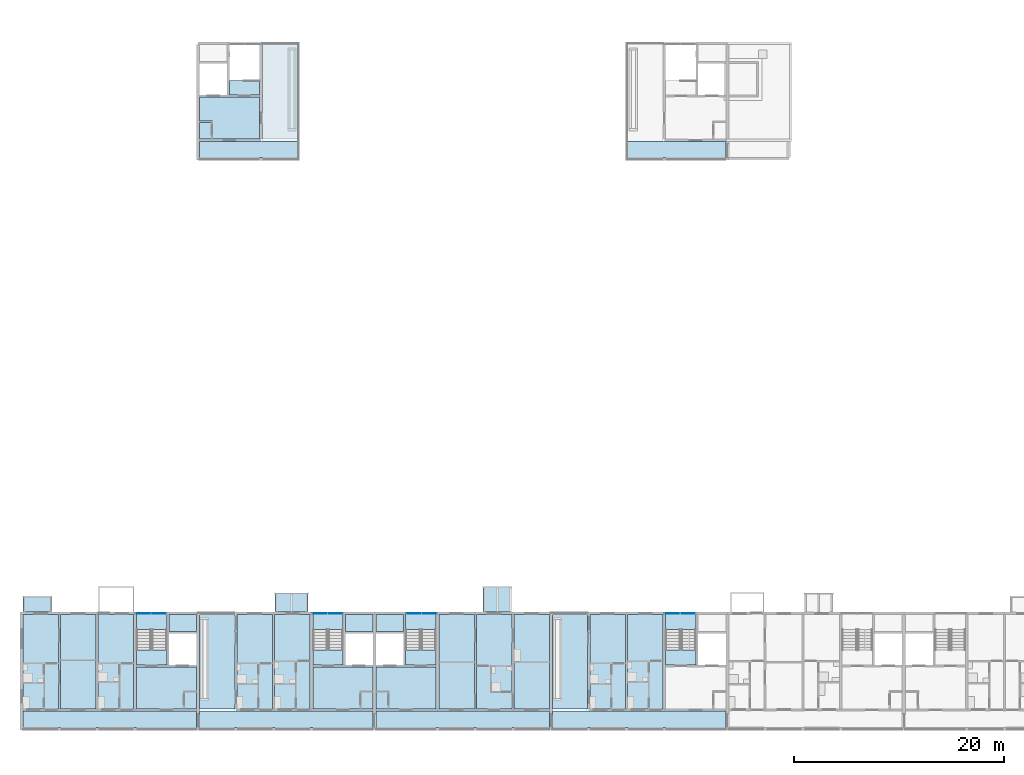
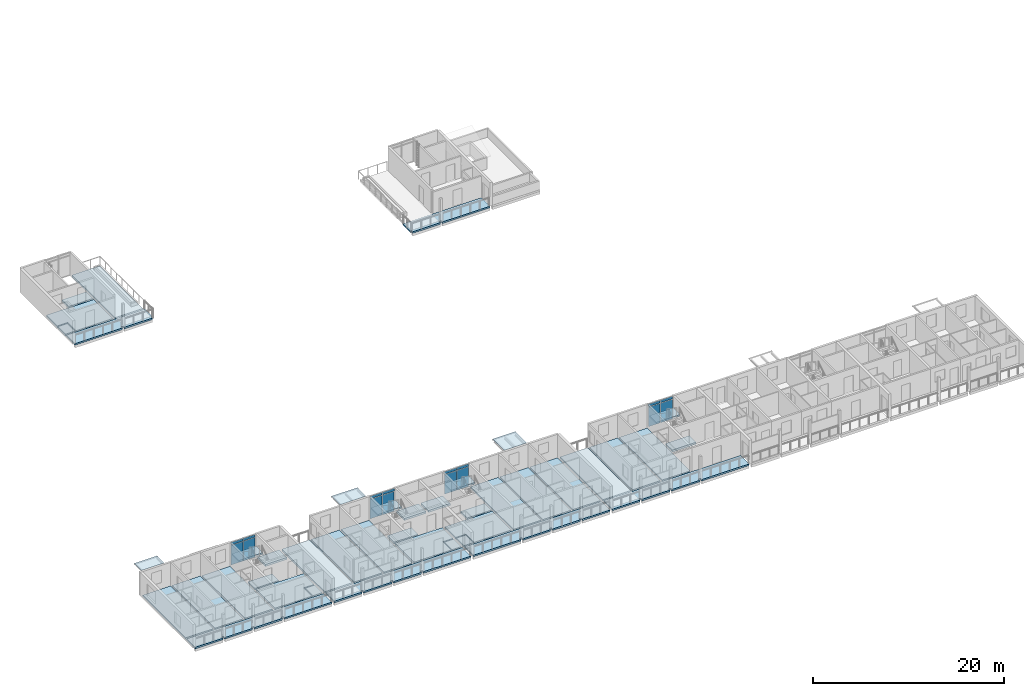
# One storey, part 26 of 78: 42 slabs, 16 plates, 8 elements without a shape of their own.
"""IFC4 building model written with IfcOpenShell, lengths in metres."""

from ifc_helpers import new_model, si_unit, direction, frame, origin, origin_2d, place, context, subcontext, project, spatial, polyline, rectangle, outline, extrude, material, layer, layer_set, type_object, element, aggregate, save


model = new_model("IFC4")

# Units and contexts
model_context = context("Model", 3, precision=1e-05, world=origin(), true_north=direction((0.0, 1.0)))
body_context = subcontext(model_context, "Body", "Model", "MODEL_VIEW")
ifc_project = project(units=[si_unit("LENGTHUNIT", "METRE"), si_unit("AREAUNIT", "SQUARE_METRE"), si_unit("VOLUMEUNIT", "CUBIC_METRE"), si_unit("PLANEANGLEUNIT", "RADIAN"), si_unit("MASSUNIT", "GRAM", prefix="KILO")], contexts=[model_context])

# Site, building, storey
site_placement = place(None, origin())
site = spatial("IfcSite", under=ifc_project, at=site_placement, CompositionType="ELEMENT")
building_placement = place(site_placement, origin())
building = spatial("IfcBuilding", under=site, at=building_placement, Name="Ridgestep Commons", CompositionType="ELEMENT")
storey_placement = place(building_placement, frame((0.0, 0.0, 30.0)))
storey = spatial("IfcBuildingStorey", under=building, at=storey_placement, Name="L10", CompositionType="ELEMENT", Elevation=30.0)

# Slabs
ifc_material_1 = material(Name="Precast concrete C40/50", Category="concrete")
ifc_layer_1 = layer(ifc_material_1, 0.199951171875)
ifc_layer_set_1 = layer_set([ifc_layer_1], Name="Gallery slab 200")
slab_type_1 = type_object("IfcSlabType", Name="Gallery slab 200", PredefinedType="FLOOR", material=ifc_layer_set_1)
slab_1_placement = place(storey_placement, frame((0.0, 0.0, -0.199951171875)))
element("IfcSlab", 1, at=slab_1_placement, inside=storey, type_object=slab_type_1, Name="Gallery slab A1 L10", PredefinedType="FLOOR", context=body_context, shape_type="SweptSolid", body=[
    extrude(outline(polyline([(28.64990234375, 13.550048828125), (12.14990234375, 13.550048828125), (12.14990234375, 11.75), (15.47509765625, 11.75), (15.47509765625, 12.0), (15.72509765625, 12.0), (15.72509765625, 11.75), (19.074951171875, 11.75), (19.074951171875, 12.0), (19.324951171875, 12.0), (19.324951171875, 11.75), (22.675048828125, 11.75), (22.675048828125, 12.0), (22.925048828125, 12.0), (22.925048828125, 11.75), (28.64990234375, 11.75), (28.64990234375, 13.550048828125)])), origin(), (0.0, 0.0, 1.0), 0.199951171875),
])
slab_2_placement = place(storey_placement, frame((0.0, 0.0, -0.199951171875)))
element("IfcSlab", 2, at=slab_2_placement, inside=storey, type_object=slab_type_1, Name="Gallery slab A2 L10", PredefinedType="FLOOR", context=body_context, shape_type="SweptSolid", body=[
    extrude(outline(polyline([(45.449951171875, 13.550048828125), (28.949951171875, 13.550048828125), (28.949951171875, 11.75), (32.27490234375, 11.75), (32.27490234375, 12.0), (32.52490234375, 12.0), (32.52490234375, 11.75), (35.875, 11.75), (35.875, 12.0), (36.125, 12.0), (36.125, 11.75), (39.47509765625, 11.75), (39.47509765625, 12.0), (39.72509765625, 12.0), (39.72509765625, 11.75), (45.449951171875, 11.75), (45.449951171875, 13.550048828125)])), origin(), (0.0, 0.0, 1.0), 0.199951171875),
])
slab_3_placement = place(storey_placement, frame((0.0, 0.0, -0.199951171875)))
element("IfcSlab", 3, at=slab_3_placement, inside=storey, type_object=slab_type_1, Name="Gallery slab A3 L10", PredefinedType="FLOOR", context=body_context, shape_type="SweptSolid", body=[
    extrude(outline(polyline([(62.25, 13.550048828125), (45.75, 13.550048828125), (45.75, 11.75), (51.47509765625, 11.75), (51.47509765625, 12.0), (51.72509765625, 12.0), (51.72509765625, 11.75), (55.074951171875, 11.75), (55.074951171875, 12.0), (55.324951171875, 12.0), (55.324951171875, 11.75), (58.675048828125, 11.75), (58.675048828125, 12.0), (58.925048828125, 12.0), (58.925048828125, 11.75), (62.25, 11.75), (62.25, 13.550048828125)])), origin(), (0.0, 0.0, 1.0), 0.199951171875),
])
slab_4_placement = place(storey_placement, frame((0.0, 0.0, -0.199951171875)))
element("IfcSlab", 4, at=slab_4_placement, inside=storey, type_object=slab_type_1, Name="Gallery slab A4 L10", PredefinedType="FLOOR", context=body_context, shape_type="SweptSolid", body=[
    extrude(outline(polyline([(79.050048828125, 13.550048828125), (62.550048828125, 13.550048828125), (62.550048828125, 11.75), (65.875, 11.75), (65.875, 12.0), (66.125, 12.0), (66.125, 11.75), (69.47509765625, 11.75), (69.47509765625, 12.0), (69.72509765625, 12.0), (69.72509765625, 11.75), (73.074951171875, 11.75), (73.074951171875, 12.0), (73.324951171875, 12.0), (73.324951171875, 11.75), (79.050048828125, 11.75), (79.050048828125, 13.550048828125)])), origin(), (0.0, 0.0, 1.0), 0.199951171875),
])
slab_5_placement = place(storey_placement, frame((0.0, 0.0, -0.199951171875)))
element("IfcSlab", 5, at=slab_5_placement, inside=storey, type_object=slab_type_1, Name="Gallery slab B2 L10", PredefinedType="FLOOR", context=body_context, shape_type="SweptSolid", body=[
    extrude(outline(polyline([(28.949951171875, 67.800048828125), (28.949951171875, 66.0), (34.675048828125, 66.0), (34.675048828125, 66.25), (34.925048828125, 66.25), (34.925048828125, 66.0), (38.27490234375, 66.0), (38.27490234375, 66.25), (38.39990234375, 66.25), (38.39990234375, 67.800048828125), (28.949951171875, 67.800048828125)])), origin(), (0.0, 0.0, 1.0), 0.199951171875),
])
slab_6_placement = place(storey_placement, frame((0.0, 0.0, -0.199951171875)))
element("IfcSlab", 6, at=slab_6_placement, inside=storey, type_object=slab_type_1, Name="Gallery slab B4 L10", PredefinedType="FLOOR", context=body_context, shape_type="SweptSolid", body=[
    extrude(outline(polyline([(79.050048828125, 67.800048828125), (69.60009765625, 67.800048828125), (69.60009765625, 66.25), (69.72509765625, 66.25), (69.72509765625, 66.0), (73.074951171875, 66.0), (73.074951171875, 66.25), (73.324951171875, 66.25), (73.324951171875, 66.0), (79.050048828125, 66.0), (79.050048828125, 67.800048828125)])), origin(), (0.0, 0.0, 1.0), 0.199951171875),
])

# Curtain wall, plates
ifc_material_2 = material(Name="Aluminium 6063-T6 and glass", Category="aluminium")
curtain_wall_type = type_object("IfcCurtainWallType", Name="Curtain wall stair strip", PredefinedType="NOTDEFINED", material=ifc_material_2)
curtain_wall_1_placement = place(storey_placement, origin())
curtain_wall_1 = element("IfcCurtainWall", 7, at=curtain_wall_1_placement, inside=storey, type_object=curtain_wall_type, Name="Curtain wall A1C level 10", PredefinedType="NOTDEFINED")
ifc_material_3 = material(Name="Glass laminated 6/16/6 low-emissivity", Category="glass")
ifc_layer_2 = layer(ifc_material_3, 0.028076171875)
ifc_layer_set_2 = layer_set([ifc_layer_2], Name="Glazing panel 28")
plate_type_1 = type_object("IfcPlateType", Name="Glazing panel 28", PredefinedType="CURTAIN_PANEL", material=ifc_layer_set_2)
plate_1_placement = place(storey_placement, frame((23.5712890625, 22.830078125, 0.06005859375), z_axis=(0.0, 0.0, 1.0), x_axis=(1.0, 0.0, 0.0)))
plate_1 = element("IfcPlate", 8, at=plate_1_placement, type_object=plate_type_1, Name="CW1 panel 1.1", PredefinedType="CURTAIN_PANEL", context=body_context, shape_type="SweptSolid", body=[
    extrude(rectangle(XDim=1.422607421875, YDim=0.028076171875, at=origin_2d()), origin(), (0.0, 0.0, 1.0), 2.5),
])
plate_2_placement = place(storey_placement, frame((25.0537109375, 22.830078125, 0.06005859375), z_axis=(0.0, 0.0, 1.0), x_axis=(1.0, 0.0, 0.0)))
plate_2 = element("IfcPlate", 9, at=plate_2_placement, type_object=plate_type_1, Name="CW1 panel 2.1", PredefinedType="CURTAIN_PANEL", context=body_context, shape_type="SweptSolid", body=[
    extrude(rectangle(XDim=1.422607421875, YDim=0.028076171875, at=origin_2d()), origin(), (0.0, 0.0, 1.0), 2.5),
])

curtain_wall_2_placement = place(storey_placement, origin())
curtain_wall_2 = element("IfcCurtainWall", 10, at=curtain_wall_2_placement, inside=storey, type_object=curtain_wall_type, Name="Curtain wall A2C level 10", PredefinedType="NOTDEFINED")
plate_3_placement = place(storey_placement, frame((40.371337890625, 22.830078125, 0.06005859375), z_axis=(0.0, 0.0, 1.0), x_axis=(1.0, 0.0, 0.0)))
plate_3 = element("IfcPlate", 11, at=plate_3_placement, type_object=plate_type_1, Name="CW1 panel 1.1", PredefinedType="CURTAIN_PANEL", context=body_context, shape_type="SweptSolid", body=[
    extrude(rectangle(XDim=1.422607421875, YDim=0.028076171875, at=origin_2d()), origin(), (0.0, 0.0, 1.0), 2.5),
])
plate_4_placement = place(storey_placement, frame((41.853759765625, 22.830078125, 0.06005859375), z_axis=(0.0, 0.0, 1.0), x_axis=(1.0, 0.0, 0.0)))
plate_4 = element("IfcPlate", 12, at=plate_4_placement, type_object=plate_type_1, Name="CW1 panel 2.1", PredefinedType="CURTAIN_PANEL", context=body_context, shape_type="SweptSolid", body=[
    extrude(rectangle(XDim=1.422607421875, YDim=0.028076171875, at=origin_2d()), origin(), (0.0, 0.0, 1.0), 2.5),
])

curtain_wall_3_placement = place(storey_placement, origin())
curtain_wall_3 = element("IfcCurtainWall", 13, at=curtain_wall_3_placement, inside=storey, type_object=curtain_wall_type, Name="Curtain wall A3C level 10", PredefinedType="NOTDEFINED")
plate_5_placement = place(storey_placement, frame((49.34619140625, 22.830078125, 0.06005859375), z_axis=(0.0, 0.0, 1.0), x_axis=(1.0, 0.0, 0.0)))
plate_5 = element("IfcPlate", 14, at=plate_5_placement, type_object=plate_type_1, Name="CW1 panel 1.1", PredefinedType="CURTAIN_PANEL", context=body_context, shape_type="SweptSolid", body=[
    extrude(rectangle(XDim=1.422607421875, YDim=0.028076171875, at=origin_2d()), origin(), (0.0, 0.0, 1.0), 2.5),
])
plate_6_placement = place(storey_placement, frame((50.828857421875, 22.830078125, 0.06005859375), z_axis=(0.0, 0.0, 1.0), x_axis=(1.0, 0.0, 0.0)))
plate_6 = element("IfcPlate", 15, at=plate_6_placement, type_object=plate_type_1, Name="CW1 panel 2.1", PredefinedType="CURTAIN_PANEL", context=body_context, shape_type="SweptSolid", body=[
    extrude(rectangle(XDim=1.422607421875, YDim=0.028076171875, at=origin_2d()), origin(), (0.0, 0.0, 1.0), 2.5),
])

curtain_wall_4_placement = place(storey_placement, origin())
curtain_wall_4 = element("IfcCurtainWall", 16, at=curtain_wall_4_placement, inside=storey, type_object=curtain_wall_type, Name="Curtain wall A4C level 10", PredefinedType="NOTDEFINED")
plate_7_placement = place(storey_placement, frame((73.97119140625, 22.830078125, 0.06005859375), z_axis=(0.0, 0.0, 1.0), x_axis=(1.0, 0.0, 0.0)))
plate_7 = element("IfcPlate", 17, at=plate_7_placement, type_object=plate_type_1, Name="CW1 panel 1.1", PredefinedType="CURTAIN_PANEL", context=body_context, shape_type="SweptSolid", body=[
    extrude(rectangle(XDim=1.422607421875, YDim=0.028076171875, at=origin_2d()), origin(), (0.0, 0.0, 1.0), 2.5),
])
plate_8_placement = place(storey_placement, frame((75.453857421875, 22.830078125, 0.06005859375), z_axis=(0.0, 0.0, 1.0), x_axis=(1.0, 0.0, 0.0)))
plate_8 = element("IfcPlate", 18, at=plate_8_placement, type_object=plate_type_1, Name="CW1 panel 2.1", PredefinedType="CURTAIN_PANEL", context=body_context, shape_type="SweptSolid", body=[
    extrude(rectangle(XDim=1.422607421875, YDim=0.028076171875, at=origin_2d()), origin(), (0.0, 0.0, 1.0), 2.5),
])

# Slabs
ifc_material_4 = material(Name="Precast concrete C50/60", Category="concrete")
ifc_layer_3 = layer(ifc_material_4, 0.199951171875)
ifc_layer_set_3 = layer_set([ifc_layer_3], Name="Hollow-core plank 200")
slab_type_2 = type_object("IfcSlabType", Name="Hollow-core plank 200", PredefinedType="FLOOR", material=ifc_layer_set_3)
slab_7_placement = place(storey_placement, frame((0.0, 0.0, -0.199951171875)))
element("IfcSlab", 19, at=slab_7_placement, inside=storey, type_object=slab_type_2, Name="Floor plank A1T1 L10", PredefinedType="FLOOR", context=body_context, shape_type="SweptSolid", body=[
    extrude(outline(polyline([(15.5, 13.75), (15.5, 22.75), (12.14990234375, 22.75), (12.14990234375, 13.75), (15.5, 13.75)])), origin(), (0.0, 0.0, 1.0), 0.199951171875),
])
slab_8_placement = place(storey_placement, frame((0.0, 0.0, -0.199951171875)))
element("IfcSlab", 20, at=slab_8_placement, inside=storey, type_object=slab_type_2, Name="Floor plank A1T2 L10", PredefinedType="FLOOR", context=body_context, shape_type="SweptSolid", body=[
    extrude(outline(polyline([(19.10009765625, 13.75), (19.10009765625, 22.75), (15.699951171875, 22.75), (15.699951171875, 13.75), (19.10009765625, 13.75)])), origin(), (0.0, 0.0, 1.0), 0.199951171875),
])
slab_9_placement = place(storey_placement, frame((0.0, 0.0, -0.199951171875)))
element("IfcSlab", 21, at=slab_9_placement, inside=storey, type_object=slab_type_2, Name="Floor plank A1T3 L10", PredefinedType="FLOOR", context=body_context, shape_type="SweptSolid", body=[
    extrude(outline(polyline([(22.675048828125, 13.75), (22.675048828125, 22.75), (19.300048828125, 22.75), (19.300048828125, 13.75), (22.675048828125, 13.75)])), origin(), (0.0, 0.0, 1.0), 0.199951171875),
])
slab_10_placement = place(storey_placement, frame((0.0, 0.0, -0.199951171875)))
element("IfcSlab", 22, at=slab_10_placement, inside=storey, type_object=slab_type_2, Name="Floor plank A2T2 L10", PredefinedType="FLOOR", context=body_context, shape_type="SweptSolid", body=[
    extrude(outline(polyline([(35.89990234375, 13.75), (35.89990234375, 22.75), (32.5, 22.75), (32.5, 13.75), (35.89990234375, 13.75)])), origin(), (0.0, 0.0, 1.0), 0.199951171875),
])
slab_11_placement = place(storey_placement, frame((0.0, 0.0, -0.199951171875)))
element("IfcSlab", 23, at=slab_11_placement, inside=storey, type_object=slab_type_2, Name="Floor plank A2T3 L10", PredefinedType="FLOOR", context=body_context, shape_type="SweptSolid", body=[
    extrude(outline(polyline([(39.47509765625, 13.75), (39.47509765625, 22.75), (36.10009765625, 22.75), (36.10009765625, 13.75), (39.47509765625, 13.75)])), origin(), (0.0, 0.0, 1.0), 0.199951171875),
])
slab_12_placement = place(storey_placement, frame((0.0, 0.0, -0.199951171875)))
element("IfcSlab", 24, at=slab_12_placement, inside=storey, type_object=slab_type_2, Name="Floor plank A3T3 L10", PredefinedType="FLOOR", context=body_context, shape_type="SweptSolid", body=[
    extrude(outline(polyline([(55.10009765625, 13.75), (55.10009765625, 22.75), (51.72509765625, 22.75), (51.72509765625, 13.75), (55.10009765625, 13.75)])), origin(), (0.0, 0.0, 1.0), 0.199951171875),
])
slab_13_placement = place(storey_placement, frame((0.0, 0.0, -0.199951171875)))
element("IfcSlab", 25, at=slab_13_placement, inside=storey, type_object=slab_type_2, Name="Floor plank A3T2 L10", PredefinedType="FLOOR", context=body_context, shape_type="SweptSolid", body=[
    extrude(outline(polyline([(58.699951171875, 13.75), (58.699951171875, 22.75), (55.300048828125, 22.75), (55.300048828125, 13.75), (58.699951171875, 13.75)])), origin(), (0.0, 0.0, 1.0), 0.199951171875),
])
slab_14_placement = place(storey_placement, frame((0.0, 0.0, -0.199951171875)))
element("IfcSlab", 26, at=slab_14_placement, inside=storey, type_object=slab_type_2, Name="Floor plank A3T1 L10", PredefinedType="FLOOR", context=body_context, shape_type="SweptSolid", body=[
    extrude(outline(polyline([(62.25, 13.75), (62.25, 22.75), (58.89990234375, 22.75), (58.89990234375, 13.75), (62.25, 13.75)])), origin(), (0.0, 0.0, 1.0), 0.199951171875),
])
slab_15_placement = place(storey_placement, frame((0.0, 0.0, -0.199951171875)))
element("IfcSlab", 27, at=slab_15_placement, inside=storey, type_object=slab_type_2, Name="Floor plank A4T2 L10", PredefinedType="FLOOR", context=body_context, shape_type="SweptSolid", body=[
    extrude(outline(polyline([(69.5, 13.75), (69.5, 22.75), (66.10009765625, 22.75), (66.10009765625, 13.75), (69.5, 13.75)])), origin(), (0.0, 0.0, 1.0), 0.199951171875),
])
slab_16_placement = place(storey_placement, frame((0.0, 0.0, -0.199951171875)))
element("IfcSlab", 28, at=slab_16_placement, inside=storey, type_object=slab_type_2, Name="Floor plank A4T3 L10", PredefinedType="FLOOR", context=body_context, shape_type="SweptSolid", body=[
    extrude(outline(polyline([(73.074951171875, 13.75), (73.074951171875, 22.75), (69.699951171875, 22.75), (69.699951171875, 13.75), (73.074951171875, 13.75)])), origin(), (0.0, 0.0, 1.0), 0.199951171875),
])
ifc_material_5 = material(Name="Precast concrete C50/60", Category="concrete")
ifc_layer_4 = layer(ifc_material_5, 0.25)
ifc_layer_set_4 = layer_set([ifc_layer_4], Name="Hollow-core plank 250")
slab_type_3 = type_object("IfcSlabType", Name="Hollow-core plank 250", PredefinedType="FLOOR", material=ifc_layer_set_4)
slab_17_placement = place(storey_placement, frame((0.0, 0.0, -0.25)))
element("IfcSlab", 29, at=slab_17_placement, inside=storey, type_object=slab_type_3, Name="Floor plank A1C L10", PredefinedType="FLOOR", context=body_context, shape_type="SweptSolid", body=[
    extrude(outline(polyline([(27.52001953125, 15.469970703125), (28.64990234375, 15.469970703125), (28.64990234375, 17.75), (22.925048828125, 17.75), (22.925048828125, 13.75), (27.39990234375, 13.75), (27.39990234375, 15.469970703125), (27.52001953125, 15.469970703125)])), origin(), (0.0, 0.0, 1.0), 0.25),
])
slab_18_placement = place(storey_placement, frame((0.0, 0.0, -0.25)))
element("IfcSlab", 30, at=slab_18_placement, inside=storey, type_object=slab_type_3, Name="Floor plank A1C L10", PredefinedType="FLOOR", context=body_context, shape_type="SweptSolid", body=[
    extrude(outline(polyline([(28.64990234375, 21.14990234375), (28.64990234375, 22.75), (26.02490234375, 22.75), (26.02490234375, 21.14990234375), (28.64990234375, 21.14990234375)])), origin(), (0.0, 0.0, 1.0), 0.25),
])
slab_19_placement = place(storey_placement, frame((0.0, 0.0, -0.25)))
element("IfcSlab", 31, at=slab_19_placement, inside=storey, type_object=slab_type_3, Name="Floor plank A1C L10", PredefinedType="FLOOR", context=body_context, shape_type="SweptSolid", body=[
    extrude(outline(polyline([(25.824951171875, 17.949951171875), (25.824951171875, 19.35009765625), (22.925048828125, 19.35009765625), (22.925048828125, 17.949951171875), (25.824951171875, 17.949951171875)])), origin(), (0.0, 0.0, 1.0), 0.25),
])
slab_20_placement = place(storey_placement, frame((0.0, 0.0, -0.25)))
element("IfcSlab", 32, at=slab_20_placement, inside=storey, type_object=slab_type_3, Name="Floor plank A1C L10", PredefinedType="FLOOR", context=body_context, shape_type="SweptSolid", body=[
    extrude(outline(polyline([(27.52001953125, 13.75), (28.64990234375, 13.75), (28.64990234375, 15.35009765625), (27.52001953125, 15.35009765625), (27.52001953125, 13.75)])), origin(), (0.0, 0.0, 1.0), 0.25),
])
slab_21_placement = place(storey_placement, frame((0.0, 0.0, -0.25)))
element("IfcSlab", 33, at=slab_21_placement, inside=storey, type_object=slab_type_3, Name="Floor plank A2C L10", PredefinedType="FLOOR", context=body_context, shape_type="SweptSolid", body=[
    extrude(outline(polyline([(44.320068359375, 15.469970703125), (45.449951171875, 15.469970703125), (45.449951171875, 17.75), (39.72509765625, 17.75), (39.72509765625, 13.75), (44.199951171875, 13.75), (44.199951171875, 15.469970703125), (44.320068359375, 15.469970703125)])), origin(), (0.0, 0.0, 1.0), 0.25),
])
slab_22_placement = place(storey_placement, frame((0.0, 0.0, -0.25)))
element("IfcSlab", 34, at=slab_22_placement, inside=storey, type_object=slab_type_3, Name="Floor plank A2C L10", PredefinedType="FLOOR", context=body_context, shape_type="SweptSolid", body=[
    extrude(outline(polyline([(45.449951171875, 21.14990234375), (45.449951171875, 22.75), (42.824951171875, 22.75), (42.824951171875, 21.14990234375), (45.449951171875, 21.14990234375)])), origin(), (0.0, 0.0, 1.0), 0.25),
])
slab_23_placement = place(storey_placement, frame((0.0, 0.0, -0.25)))
element("IfcSlab", 35, at=slab_23_placement, inside=storey, type_object=slab_type_3, Name="Floor plank A2C L10", PredefinedType="FLOOR", context=body_context, shape_type="SweptSolid", body=[
    extrude(outline(polyline([(42.625, 17.949951171875), (42.625, 19.35009765625), (39.72509765625, 19.35009765625), (39.72509765625, 17.949951171875), (42.625, 17.949951171875)])), origin(), (0.0, 0.0, 1.0), 0.25),
])
slab_24_placement = place(storey_placement, frame((0.0, 0.0, -0.25)))
element("IfcSlab", 36, at=slab_24_placement, inside=storey, type_object=slab_type_3, Name="Floor plank A2C L10", PredefinedType="FLOOR", context=body_context, shape_type="SweptSolid", body=[
    extrude(outline(polyline([(44.320068359375, 13.75), (45.449951171875, 13.75), (45.449951171875, 15.35009765625), (44.320068359375, 15.35009765625), (44.320068359375, 13.75)])), origin(), (0.0, 0.0, 1.0), 0.25),
])
slab_25_placement = place(storey_placement, frame((0.0, 0.0, -0.25)))
element("IfcSlab", 37, at=slab_25_placement, inside=storey, type_object=slab_type_3, Name="Floor plank A3C L10", PredefinedType="FLOOR", context=body_context, shape_type="SweptSolid", body=[
    extrude(outline(polyline([(47.0, 13.75), (51.47509765625, 13.75), (51.47509765625, 17.75), (45.75, 17.75), (45.75, 15.469970703125), (46.8798828125, 15.469970703125), (47.0, 15.469970703125), (47.0, 13.75)])), origin(), (0.0, 0.0, 1.0), 0.25),
])
slab_26_placement = place(storey_placement, frame((0.0, 0.0, -0.25)))
element("IfcSlab", 38, at=slab_26_placement, inside=storey, type_object=slab_type_3, Name="Floor plank A3C L10", PredefinedType="FLOOR", context=body_context, shape_type="SweptSolid", body=[
    extrude(outline(polyline([(48.375, 22.75), (45.75, 22.75), (45.75, 21.14990234375), (48.375, 21.14990234375), (48.375, 22.75)])), origin(), (0.0, 0.0, 1.0), 0.25),
])
slab_27_placement = place(storey_placement, frame((0.0, 0.0, -0.25)))
element("IfcSlab", 39, at=slab_27_placement, inside=storey, type_object=slab_type_3, Name="Floor plank A3C L10", PredefinedType="FLOOR", context=body_context, shape_type="SweptSolid", body=[
    extrude(outline(polyline([(51.47509765625, 17.949951171875), (51.47509765625, 19.35009765625), (48.574951171875, 19.35009765625), (48.574951171875, 17.949951171875), (51.47509765625, 17.949951171875)])), origin(), (0.0, 0.0, 1.0), 0.25),
])
slab_28_placement = place(storey_placement, frame((0.0, 0.0, -0.25)))
element("IfcSlab", 40, at=slab_28_placement, inside=storey, type_object=slab_type_3, Name="Floor plank A3C L10", PredefinedType="FLOOR", context=body_context, shape_type="SweptSolid", body=[
    extrude(outline(polyline([(46.8798828125, 15.35009765625), (45.75, 15.35009765625), (45.75, 13.75), (46.8798828125, 13.75), (46.8798828125, 15.35009765625)])), origin(), (0.0, 0.0, 1.0), 0.25),
])
slab_29_placement = place(storey_placement, frame((0.0, 0.0, -0.25)))
element("IfcSlab", 41, at=slab_29_placement, inside=storey, type_object=slab_type_3, Name="Floor plank A4C L10", PredefinedType="FLOOR", context=body_context, shape_type="SweptSolid", body=[
    extrude(outline(polyline([(76.22509765625, 17.949951171875), (76.22509765625, 19.35009765625), (73.324951171875, 19.35009765625), (73.324951171875, 17.949951171875), (76.22509765625, 17.949951171875)])), origin(), (0.0, 0.0, 1.0), 0.25),
])
slab_30_placement = place(storey_placement, frame((0.0, 0.0, -0.25)))
element("IfcSlab", 42, at=slab_30_placement, inside=storey, type_object=slab_type_3, Name="Floor plank B2C L10", PredefinedType="FLOOR", context=body_context, shape_type="SweptSolid", body=[
    extrude(outline(polyline([(30.199951171875, 68.0), (34.675048828125, 68.0), (34.675048828125, 72.0), (28.949951171875, 72.0), (28.949951171875, 69.719970703125), (30.080078125, 69.719970703125), (30.199951171875, 69.719970703125), (30.199951171875, 68.0)])), origin(), (0.0, 0.0, 1.0), 0.25),
])
slab_31_placement = place(storey_placement, frame((0.0, 0.0, -0.25)))
element("IfcSlab", 43, at=slab_31_placement, inside=storey, type_object=slab_type_3, Name="Floor plank B2C L10", PredefinedType="FLOOR", context=body_context, shape_type="SweptSolid", body=[
    extrude(outline(polyline([(34.675048828125, 72.199951171875), (34.675048828125, 73.60009765625), (31.77490234375, 73.60009765625), (31.77490234375, 72.199951171875), (34.675048828125, 72.199951171875)])), origin(), (0.0, 0.0, 1.0), 0.25),
])
slab_32_placement = place(storey_placement, frame((0.0, 0.0, -0.25)))
element("IfcSlab", 44, at=slab_32_placement, inside=storey, type_object=slab_type_3, Name="Floor plank B2C L10", PredefinedType="FLOOR", context=body_context, shape_type="SweptSolid", body=[
    extrude(outline(polyline([(30.080078125, 69.60009765625), (28.949951171875, 69.60009765625), (28.949951171875, 68.0), (30.080078125, 68.0), (30.080078125, 69.60009765625)])), origin(), (0.0, 0.0, 1.0), 0.25),
])
ifc_material_6 = material(Name="Precast concrete C50/60", Category="concrete")
ifc_layer_5 = layer(ifc_material_6, 0.25)
ifc_layer_set_5 = layer_set([ifc_layer_5], Name="Roof slab 250")
slab_type_4 = type_object("IfcSlabType", Name="Roof slab 250", PredefinedType="ROOF", material=ifc_layer_set_5)
slab_33_placement = place(storey_placement, frame((0.0, 0.0, -0.25)))
element("IfcSlab", 45, at=slab_33_placement, inside=storey, type_object=slab_type_4, Name="Terrace slab A2T1", PredefinedType="ROOF", context=body_context, shape_type="SweptSolid", body=[
    extrude(outline(polyline([(32.300048828125, 13.75), (32.300048828125, 22.75), (28.949951171875, 22.75), (28.949951171875, 13.75), (32.300048828125, 13.75)])), origin(), (0.0, 0.0, 1.0), 0.25),
])
slab_34_placement = place(storey_placement, frame((0.0, 0.0, -0.25)))
element("IfcSlab", 46, at=slab_34_placement, inside=storey, type_object=slab_type_4, Name="Terrace slab A4T1", PredefinedType="ROOF", context=body_context, shape_type="SweptSolid", body=[
    extrude(outline(polyline([(65.89990234375, 13.75), (65.89990234375, 22.75), (62.550048828125, 22.75), (62.550048828125, 13.75), (65.89990234375, 13.75)])), origin(), (0.0, 0.0, 1.0), 0.25),
])
slab_35_placement = place(storey_placement, frame((0.0, 0.0, -0.25)))
element("IfcSlab", 47, at=slab_35_placement, inside=storey, type_object=slab_type_4, Name="Terrace slab B2T3", PredefinedType="ROOF", context=body_context, shape_type="SweptSolid", body=[
    extrude(outline(polyline([(38.300048828125, 68.0), (38.300048828125, 77.0), (34.925048828125, 77.0), (34.925048828125, 68.0), (38.300048828125, 68.0)])), origin(), (0.0, 0.0, 1.0), 0.25),
])

# Plate
ifc_material_7 = material(Name="Aluminium 6063-T6 and mineral wool", Category="aluminium")
ifc_layer_6 = layer(ifc_material_7, 0.0400390625)
ifc_layer_set_6 = layer_set([ifc_layer_6], Name="Spandrel panel 40")
plate_type_2 = type_object("IfcPlateType", Name="Spandrel panel 40", PredefinedType="CURTAIN_PANEL", material=ifc_layer_set_6)
plate_9_placement = place(storey_placement, frame((23.5712890625, 22.830078125, 2.6201171875), z_axis=(0.0, 0.0, 1.0), x_axis=(1.0, 0.0, 0.0)))
plate_9 = element("IfcPlate", 48, at=plate_9_placement, type_object=plate_type_2, Name="CW1 panel 1.2", PredefinedType="CURTAIN_PANEL", context=body_context, shape_type="SweptSolid", body=[
    extrude(rectangle(XDim=1.422607421875, YDim=0.0400390625, at=origin_2d()), origin(), (0.0, 0.0, 1.0), 0.320068359375),
])

plate_10_placement = place(storey_placement, frame((25.0537109375, 22.830078125, 2.6201171875), z_axis=(0.0, 0.0, 1.0), x_axis=(1.0, 0.0, 0.0)))
plate_10 = element("IfcPlate", 49, at=plate_10_placement, type_object=plate_type_2, Name="CW1 panel 2.2", PredefinedType="CURTAIN_PANEL", context=body_context, shape_type="SweptSolid", body=[
    extrude(rectangle(XDim=1.422607421875, YDim=0.0400390625, at=origin_2d()), origin(), (0.0, 0.0, 1.0), 0.320068359375),
])

aggregate(curtain_wall_1, [plate_1, plate_9, plate_2, plate_10])

plate_11_placement = place(storey_placement, frame((40.371337890625, 22.830078125, 2.6201171875), z_axis=(0.0, 0.0, 1.0), x_axis=(1.0, 0.0, 0.0)))
plate_11 = element("IfcPlate", 50, at=plate_11_placement, type_object=plate_type_2, Name="CW1 panel 1.2", PredefinedType="CURTAIN_PANEL", context=body_context, shape_type="SweptSolid", body=[
    extrude(rectangle(XDim=1.422607421875, YDim=0.0400390625, at=origin_2d()), origin(), (0.0, 0.0, 1.0), 0.320068359375),
])

plate_12_placement = place(storey_placement, frame((41.853759765625, 22.830078125, 2.6201171875), z_axis=(0.0, 0.0, 1.0), x_axis=(1.0, 0.0, 0.0)))
plate_12 = element("IfcPlate", 51, at=plate_12_placement, type_object=plate_type_2, Name="CW1 panel 2.2", PredefinedType="CURTAIN_PANEL", context=body_context, shape_type="SweptSolid", body=[
    extrude(rectangle(XDim=1.422607421875, YDim=0.0400390625, at=origin_2d()), origin(), (0.0, 0.0, 1.0), 0.320068359375),
])

aggregate(curtain_wall_2, [plate_3, plate_11, plate_4, plate_12])

plate_13_placement = place(storey_placement, frame((49.34619140625, 22.830078125, 2.6201171875), z_axis=(0.0, 0.0, 1.0), x_axis=(1.0, 0.0, 0.0)))
plate_13 = element("IfcPlate", 52, at=plate_13_placement, type_object=plate_type_2, Name="CW1 panel 1.2", PredefinedType="CURTAIN_PANEL", context=body_context, shape_type="SweptSolid", body=[
    extrude(rectangle(XDim=1.422607421875, YDim=0.0400390625, at=origin_2d()), origin(), (0.0, 0.0, 1.0), 0.320068359375),
])

plate_14_placement = place(storey_placement, frame((50.828857421875, 22.830078125, 2.6201171875), z_axis=(0.0, 0.0, 1.0), x_axis=(1.0, 0.0, 0.0)))
plate_14 = element("IfcPlate", 53, at=plate_14_placement, type_object=plate_type_2, Name="CW1 panel 2.2", PredefinedType="CURTAIN_PANEL", context=body_context, shape_type="SweptSolid", body=[
    extrude(rectangle(XDim=1.422607421875, YDim=0.0400390625, at=origin_2d()), origin(), (0.0, 0.0, 1.0), 0.320068359375),
])

aggregate(curtain_wall_3, [plate_5, plate_13, plate_6, plate_14])

plate_15_placement = place(storey_placement, frame((73.97119140625, 22.830078125, 2.6201171875), z_axis=(0.0, 0.0, 1.0), x_axis=(1.0, 0.0, 0.0)))
plate_15 = element("IfcPlate", 54, at=plate_15_placement, type_object=plate_type_2, Name="CW1 panel 1.2", PredefinedType="CURTAIN_PANEL", context=body_context, shape_type="SweptSolid", body=[
    extrude(rectangle(XDim=1.422607421875, YDim=0.0400390625, at=origin_2d()), origin(), (0.0, 0.0, 1.0), 0.320068359375),
])

plate_16_placement = place(storey_placement, frame((75.453857421875, 22.830078125, 2.6201171875), z_axis=(0.0, 0.0, 1.0), x_axis=(1.0, 0.0, 0.0)))
plate_16 = element("IfcPlate", 55, at=plate_16_placement, type_object=plate_type_2, Name="CW1 panel 2.2", PredefinedType="CURTAIN_PANEL", context=body_context, shape_type="SweptSolid", body=[
    extrude(rectangle(XDim=1.422607421875, YDim=0.0400390625, at=origin_2d()), origin(), (0.0, 0.0, 1.0), 0.320068359375),
])

aggregate(curtain_wall_4, [plate_7, plate_15, plate_8, plate_16])

# Stair, slab
ifc_material_8 = material(Name="Precast concrete C40/50", Category="concrete")
stair_type = type_object("IfcStairType", Name="Escape stair 1400", PredefinedType="HALF_TURN_STAIR", material=ifc_material_8)
stair_1_placement = place(storey_placement, origin())
stair_1 = element("IfcStair", 56, at=stair_1_placement, inside=storey, type_object=stair_type, Name="L10 Escape stair A1C", PredefinedType="HALF_TURN_STAIR")
ifc_material_9 = material(Name="Precast concrete C40/50", Category="concrete")
ifc_layer_7 = layer(ifc_material_9, 0.199951171875)
ifc_layer_set_7 = layer_set([ifc_layer_7], Name="Stair landing 200")
slab_type_5 = type_object("IfcSlabType", Name="Stair landing 200", PredefinedType="LANDING", material=ifc_layer_set_7)
slab_36_placement = place(storey_placement, frame((0.0, 0.0, 1.300048828125)))
slab_36 = element("IfcSlab", 57, at=slab_36_placement, type_object=slab_type_5, Name="A1C landing 1", PredefinedType="LANDING", context=body_context, shape_type="SweptSolid", body=[
    extrude(outline(polyline([(25.824951171875, 21.31005859375), (25.824951171875, 22.75), (22.925048828125, 22.75), (22.925048828125, 21.31005859375), (25.824951171875, 21.31005859375)])), origin(), (0.0, 0.0, 1.0), 0.199951171875),
])
aggregate(stair_1, [slab_36])

stair_2_placement = place(storey_placement, origin())
stair_2 = element("IfcStair", 58, at=stair_2_placement, inside=storey, type_object=stair_type, Name="L10 Escape stair A2C", PredefinedType="HALF_TURN_STAIR")
slab_37_placement = place(storey_placement, frame((0.0, 0.0, 1.300048828125)))
slab_37 = element("IfcSlab", 59, at=slab_37_placement, type_object=slab_type_5, Name="A2C landing 1", PredefinedType="LANDING", context=body_context, shape_type="SweptSolid", body=[
    extrude(outline(polyline([(42.625, 21.31005859375), (42.625, 22.75), (39.72509765625, 22.75), (39.72509765625, 21.31005859375), (42.625, 21.31005859375)])), origin(), (0.0, 0.0, 1.0), 0.199951171875),
])
aggregate(stair_2, [slab_37])

stair_3_placement = place(storey_placement, origin())
stair_3 = element("IfcStair", 60, at=stair_3_placement, inside=storey, type_object=stair_type, Name="L10 Escape stair A3C", PredefinedType="HALF_TURN_STAIR")
slab_38_placement = place(storey_placement, frame((0.0, 0.0, 1.300048828125)))
slab_38 = element("IfcSlab", 61, at=slab_38_placement, type_object=slab_type_5, Name="A3C landing 1", PredefinedType="LANDING", context=body_context, shape_type="SweptSolid", body=[
    extrude(outline(polyline([(51.47509765625, 21.31005859375), (51.47509765625, 22.75), (48.574951171875, 22.75), (48.574951171875, 21.31005859375), (51.47509765625, 21.31005859375)])), origin(), (0.0, 0.0, 1.0), 0.199951171875),
])
aggregate(stair_3, [slab_38])

stair_4_placement = place(storey_placement, origin())
stair_4 = element("IfcStair", 62, at=stair_4_placement, inside=storey, type_object=stair_type, Name="L10 Escape stair A4C", PredefinedType="HALF_TURN_STAIR")
slab_39_placement = place(storey_placement, frame((0.0, 0.0, 1.300048828125)))
slab_39 = element("IfcSlab", 63, at=slab_39_placement, type_object=slab_type_5, Name="A4C landing 1", PredefinedType="LANDING", context=body_context, shape_type="SweptSolid", body=[
    extrude(outline(polyline([(76.22509765625, 21.31005859375), (76.22509765625, 22.75), (73.324951171875, 22.75), (73.324951171875, 21.31005859375), (76.22509765625, 21.31005859375)])), origin(), (0.0, 0.0, 1.0), 0.199951171875),
])
aggregate(stair_4, [slab_39])

# Slabs
ifc_material_10 = material(Name="Weathering steel S355J2W", Category="steel")
ifc_layer_8 = layer(ifc_material_10, 0.010009765625)
ifc_layer_set_8 = layer_set([ifc_layer_8], Name="Tray 2.8 x 1.5")
slab_type_6 = type_object("IfcSlabType", Name="Tray 2.8 x 1.5", PredefinedType="FLOOR", material=ifc_layer_set_8)
slab_40_placement = place(storey_placement, frame((0.0, 0.0, 2.989990234375)))
element("IfcSlab", 64, at=slab_40_placement, inside=storey, type_object=slab_type_6, Name="Tray deck A1T1-11", PredefinedType="FLOOR", context=body_context, shape_type="SweptSolid", body=[
    extrude(outline(polyline([(12.1298828125, 23.0), (14.8701171875, 23.0), (14.8701171875, 24.5), (12.1298828125, 24.5), (12.1298828125, 23.0)])), origin(), (0.0, 0.0, 1.0), 0.010009765625),
])
ifc_material_11 = material(Name="Weathering steel S355J2W", Category="steel")
ifc_layer_9 = layer(ifc_material_11, 0.010009765625)
ifc_layer_set_9 = layer_set([ifc_layer_9], Name="Tray 2.8 x 2.4")
slab_type_7 = type_object("IfcSlabType", Name="Tray 2.8 x 2.4", PredefinedType="FLOOR", material=ifc_layer_set_9)
slab_41_placement = place(storey_placement, frame((0.0, 0.0, 2.989990234375)))
element("IfcSlab", 65, at=slab_41_placement, inside=storey, type_object=slab_type_7, Name="Tray deck A3T2-11", PredefinedType="FLOOR", context=body_context, shape_type="SweptSolid", body=[
    extrude(outline(polyline([(55.929931640625, 23.0), (58.669921875, 23.0), (58.669921875, 25.39990234375), (55.929931640625, 25.39990234375), (55.929931640625, 23.0)])), origin(), (0.0, 0.0, 1.0), 0.010009765625),
])
ifc_material_12 = material(Name="Weathering steel S355J2W", Category="steel")
ifc_layer_10 = layer(ifc_material_12, 0.010009765625)
ifc_layer_set_10 = layer_set([ifc_layer_10], Name="Tray 3.2 x 1.8")
slab_type_8 = type_object("IfcSlabType", Name="Tray 3.2 x 1.8", PredefinedType="FLOOR", material=ifc_layer_set_10)
slab_42_placement = place(storey_placement, frame((0.0, 0.0, 2.989990234375)))
element("IfcSlab", 66, at=slab_42_placement, inside=storey, type_object=slab_type_8, Name="Tray deck A2T3-11", PredefinedType="FLOOR", context=body_context, shape_type="SweptSolid", body=[
    extrude(outline(polyline([(36.1298828125, 23.0), (39.27001953125, 23.0), (39.27001953125, 24.800048828125), (36.1298828125, 24.800048828125), (36.1298828125, 23.0)])), origin(), (0.0, 0.0, 1.0), 0.010009765625),
])

save(model, "model.ifc")
